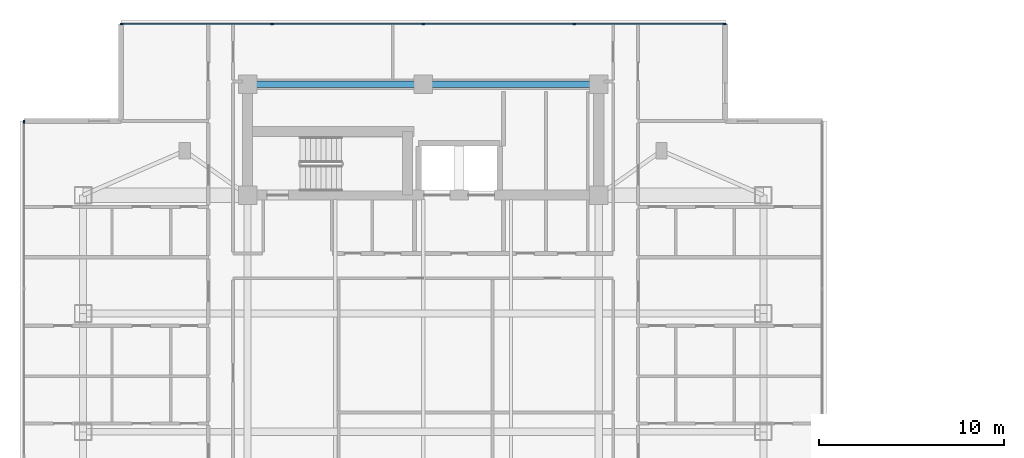
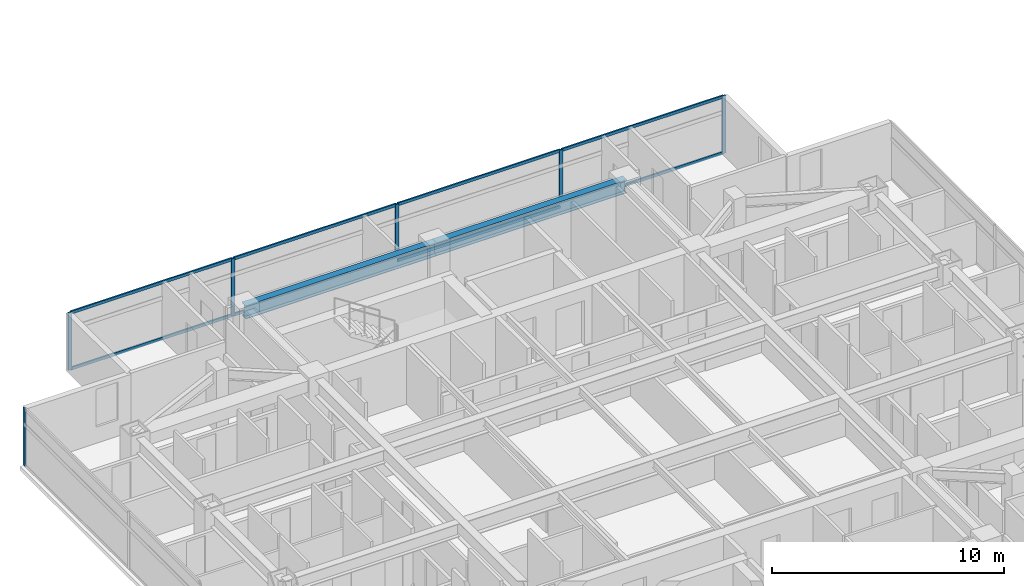
# One storey, part 6 of 25: 14 members, 2 beams, 2 elements without a shape of their own.
"""IFC4 building model written with IfcOpenShell, lengths in metres."""

from ifc_helpers import new_model, si_unit, direction, frame, origin, origin_2d, place, context, subcontext, project, spatial, rectangle, i_section, extrude, material, material_profile, profile_set, type_object, element, aggregate, save


model = new_model("IFC4")

# Units and contexts
model_context = context("Model", 3, precision=1e-05, world=origin(), true_north=direction((0.0, 1.0)))
body_context = subcontext(model_context, "Body", "Model", "MODEL_VIEW")
ifc_project = project(units=[si_unit("LENGTHUNIT", "METRE"), si_unit("AREAUNIT", "SQUARE_METRE"), si_unit("VOLUMEUNIT", "CUBIC_METRE"), si_unit("PLANEANGLEUNIT", "RADIAN"), si_unit("MASSUNIT", "GRAM", prefix="KILO")], contexts=[model_context])

# Site, building, storey
site_placement = place(None, origin())
site = spatial("IfcSite", under=ifc_project, at=site_placement, CompositionType="ELEMENT")
building_placement = place(site_placement, origin())
building = spatial("IfcBuilding", under=site, at=building_placement, Name="Mirazonda Arch Towers", CompositionType="ELEMENT")
storey_placement = place(building_placement, frame((0.0, 0.0, 177.14990234375)))
storey = spatial("IfcBuildingStorey", under=building, at=storey_placement, Name="L50", CompositionType="ELEMENT", Elevation=177.14990234375)

# Beams
ifc_material_1 = material(Name="Steel ASTM A992 Grade 50", Category="steel")
ifc_material_profile_1 = material_profile(ifc_material_1, i_section(OverallWidth=0.35498046875, OverallDepth=0.696044921875, WebThickness=0.015380859375, FlangeThickness=0.02490234375, at=origin_2d()), Name="W27X146")
ifc_profile_set_1 = profile_set([ifc_material_profile_1], Name="Steel ASTM A992 Grade 50")
beam_type = type_object("IfcBeamType", Name="BM-INT-W27X146", PredefinedType="BEAM", material=ifc_profile_set_1)
for number, where, z_axis, x_axis, name in (
    (1, (11.0, 43.60009765625, 2.7021484375), (1.0, 0.0, 0.0), (0.0, 1.0, 0.0), "L50 Floor Beam BM-T1-L50-CN1"),
    (2, (20.5, 43.60009765625, 2.7021484375), (1.0, 0.0, 0.0), (0.0, 1.0, 0.0), "L50 Floor Beam BM-T1-L50-CN2"),
):
    element("IfcBeam", number, at=place(storey_placement, frame(where, z_axis=z_axis, x_axis=x_axis)), inside=storey, type_object=beam_type, Name=name, PredefinedType="BEAM", context=body_context, shape_type="SweptSolid", body=[
        extrude(i_section(OverallWidth=0.35498046875, OverallDepth=0.696044921875, WebThickness=0.015380859375, FlangeThickness=0.02490234375, at=origin_2d()), origin(), (0.0, 0.0, 1.0), 9.5),
    ])

# Curtain wall, members
ifc_material_2 = material(Name="Anodised Aluminium and Low-E Glass", Category="aluminium")
curtain_wall_type = type_object("IfcCurtainWallType", Name="CW-RES-UNIT", PredefinedType="NOTDEFINED", material=ifc_material_2)
curtain_wall_1_placement = place(storey_placement, origin())
curtain_wall_1 = element("IfcCurtainWall", 3, at=curtain_wall_1_placement, inside=storey, type_object=curtain_wall_type, Name="L50 T1 N Facade CW-L50-T1-N", PredefinedType="NOTDEFINED")
ifc_material_3 = material(Name="Anodised Aluminium Alloy", Category="aluminium")
ifc_material_profile_2 = material_profile(ifc_material_3, rectangle(XDim=0.074951171875, YDim=0.175048828125, at=origin_2d()), Name="ALU-MULL-75x175")
ifc_profile_set_2 = profile_set([ifc_material_profile_2], Name="Anodised Aluminium Alloy")
member_type_1 = type_object("IfcMemberType", Name="MULL-CW-RES-UNIT", PredefinedType="MULLION", material=ifc_profile_set_2)
member_1_placement = place(storey_placement, frame((4.1923828125, 46.85595703125, 0.0), z_axis=(0.0, 0.0, 1.0), x_axis=(0.0, 1.0, 0.0)))
member_1 = element("IfcMember", 4, at=member_1_placement, type_object=member_type_1, Name="CW-104 mullion 1", PredefinedType="MULLION", context=body_context, shape_type="SweptSolid", body=[
    extrude(rectangle(XDim=0.074951171875, YDim=0.175048828125, at=origin_2d()), origin(), (0.0, 0.0, 1.0), 3.030029296875),
])
member_2_placement = place(storey_placement, frame((12.327392578125, 46.85595703125, 0.0), z_axis=(0.0, 0.0, 1.0), x_axis=(0.0, 1.0, 0.0)))
member_2 = element("IfcMember", 5, at=member_2_placement, type_object=member_type_1, Name="CW-104 mullion 2", PredefinedType="MULLION", context=body_context, shape_type="SweptSolid", body=[
    extrude(rectangle(XDim=0.074951171875, YDim=0.175048828125, at=origin_2d()), origin(), (0.0, 0.0, 1.0), 3.030029296875),
])
member_3_placement = place(storey_placement, frame((20.5, 46.85595703125, 0.0), z_axis=(0.0, 0.0, 1.0), x_axis=(0.0, 1.0, 0.0)))
member_3 = element("IfcMember", 6, at=member_3_placement, type_object=member_type_1, Name="CW-104 mullion 3", PredefinedType="MULLION", context=body_context, shape_type="SweptSolid", body=[
    extrude(rectangle(XDim=0.074951171875, YDim=0.175048828125, at=origin_2d()), origin(), (0.0, 0.0, 1.0), 3.030029296875),
])
member_4_placement = place(storey_placement, frame((28.672607421875, 46.85595703125, 0.0), z_axis=(0.0, 0.0, 1.0), x_axis=(0.0, 1.0, 0.0)))
member_4 = element("IfcMember", 7, at=member_4_placement, type_object=member_type_1, Name="CW-104 mullion 4", PredefinedType="MULLION", context=body_context, shape_type="SweptSolid", body=[
    extrude(rectangle(XDim=0.074951171875, YDim=0.175048828125, at=origin_2d()), origin(), (0.0, 0.0, 1.0), 3.030029296875),
])
member_5_placement = place(storey_placement, frame((36.8076171875, 46.85595703125, 0.0), z_axis=(0.0, 0.0, 1.0), x_axis=(0.0, 1.0, 0.0)))
member_5 = element("IfcMember", 8, at=member_5_placement, type_object=member_type_1, Name="CW-104 mullion 5", PredefinedType="MULLION", context=body_context, shape_type="SweptSolid", body=[
    extrude(rectangle(XDim=0.074951171875, YDim=0.175048828125, at=origin_2d()), origin(), (0.0, 0.0, 1.0), 3.030029296875),
])

# Curtain wall, member
curtain_wall_2_placement = place(storey_placement, origin())
curtain_wall_2 = element("IfcCurtainWall", 9, at=curtain_wall_2_placement, inside=storey, type_object=curtain_wall_type, Name="L50 T1 W Facade CW-L50-T1-W", PredefinedType="NOTDEFINED")
member_6_placement = place(storey_placement, frame((-1.090087890625, 41.573486328125, 0.0), z_axis=(0.0, 0.0, 1.0), x_axis=(1.0, 0.0, 0.0)))
member_6 = element("IfcMember", 10, at=member_6_placement, type_object=member_type_1, Name="CW-104 mullion 1", PredefinedType="MULLION", context=body_context, shape_type="SweptSolid", body=[
    extrude(rectangle(XDim=0.074951171875, YDim=0.175048828125, at=origin_2d()), origin(), (0.0, 0.0, 1.0), 3.030029296875),
])
aggregate(curtain_wall_2, [member_6])

# Member
ifc_material_profile_3 = material_profile(ifc_material_3, rectangle(XDim=0.074951171875, YDim=0.155029296875, at=origin_2d()), Name="ALU-TRAN-75x155")
ifc_profile_set_3 = profile_set([ifc_material_profile_3], Name="Anodised Aluminium Alloy")
member_type_2 = type_object("IfcMemberType", Name="TRAN-CW-RES-UNIT", PredefinedType="USERDEFINED", material=ifc_profile_set_3)
member_7_placement = place(storey_placement, frame((4.22998046875, 46.85595703125, 0.03759765625), z_axis=(1.0, 0.0, 0.0), x_axis=(0.0, 1.0, 0.0)))
member_7 = element("IfcMember", 11, at=member_7_placement, type_object=member_type_2, Name="CW-104 transom 1.1", ObjectType="TRANSOM", PredefinedType="USERDEFINED", context=body_context, shape_type="SweptSolid", body=[
    extrude(rectangle(XDim=0.074951171875, YDim=0.155029296875, at=origin_2d()), origin(), (0.0, 0.0, 1.0), 8.06005859375),
])

member_8_placement = place(storey_placement, frame((4.22998046875, 46.85595703125, 2.99267578125), z_axis=(1.0, 0.0, 0.0), x_axis=(0.0, 1.0, 0.0)))
member_8 = element("IfcMember", 12, at=member_8_placement, type_object=member_type_2, Name="CW-104 transom 1.2", ObjectType="TRANSOM", PredefinedType="USERDEFINED", context=body_context, shape_type="SweptSolid", body=[
    extrude(rectangle(XDim=0.074951171875, YDim=0.155029296875, at=origin_2d()), origin(), (0.0, 0.0, 1.0), 8.06005859375),
])

member_9_placement = place(storey_placement, frame((12.364990234375, 46.85595703125, 0.03759765625), z_axis=(1.0, 0.0, 0.0), x_axis=(0.0, 1.0, 0.0)))
member_9 = element("IfcMember", 13, at=member_9_placement, type_object=member_type_2, Name="CW-104 transom 2.1", ObjectType="TRANSOM", PredefinedType="USERDEFINED", context=body_context, shape_type="SweptSolid", body=[
    extrude(rectangle(XDim=0.074951171875, YDim=0.155029296875, at=origin_2d()), origin(), (0.0, 0.0, 1.0), 8.097412109375),
])

member_10_placement = place(storey_placement, frame((12.364990234375, 46.85595703125, 2.99267578125), z_axis=(1.0, 0.0, 0.0), x_axis=(0.0, 1.0, 0.0)))
member_10 = element("IfcMember", 14, at=member_10_placement, type_object=member_type_2, Name="CW-104 transom 2.2", ObjectType="TRANSOM", PredefinedType="USERDEFINED", context=body_context, shape_type="SweptSolid", body=[
    extrude(rectangle(XDim=0.074951171875, YDim=0.155029296875, at=origin_2d()), origin(), (0.0, 0.0, 1.0), 8.097412109375),
])

member_11_placement = place(storey_placement, frame((20.53759765625, 46.85595703125, 0.03759765625), z_axis=(1.0, 0.0, 0.0), x_axis=(0.0, 1.0, 0.0)))
member_11 = element("IfcMember", 15, at=member_11_placement, type_object=member_type_2, Name="CW-104 transom 3.1", ObjectType="TRANSOM", PredefinedType="USERDEFINED", context=body_context, shape_type="SweptSolid", body=[
    extrude(rectangle(XDim=0.074951171875, YDim=0.155029296875, at=origin_2d()), origin(), (0.0, 0.0, 1.0), 8.097412109375),
])

member_12_placement = place(storey_placement, frame((20.53759765625, 46.85595703125, 2.99267578125), z_axis=(1.0, 0.0, 0.0), x_axis=(0.0, 1.0, 0.0)))
member_12 = element("IfcMember", 16, at=member_12_placement, type_object=member_type_2, Name="CW-104 transom 3.2", ObjectType="TRANSOM", PredefinedType="USERDEFINED", context=body_context, shape_type="SweptSolid", body=[
    extrude(rectangle(XDim=0.074951171875, YDim=0.155029296875, at=origin_2d()), origin(), (0.0, 0.0, 1.0), 8.097412109375),
])

member_13_placement = place(storey_placement, frame((28.7099609375, 46.85595703125, 0.03759765625), z_axis=(1.0, 0.0, 0.0), x_axis=(0.0, 1.0, 0.0)))
member_13 = element("IfcMember", 17, at=member_13_placement, type_object=member_type_2, Name="CW-104 transom 4.1", ObjectType="TRANSOM", PredefinedType="USERDEFINED", context=body_context, shape_type="SweptSolid", body=[
    extrude(rectangle(XDim=0.074951171875, YDim=0.155029296875, at=origin_2d()), origin(), (0.0, 0.0, 1.0), 8.06005859375),
])

member_14_placement = place(storey_placement, frame((28.7099609375, 46.85595703125, 2.99267578125), z_axis=(1.0, 0.0, 0.0), x_axis=(0.0, 1.0, 0.0)))
member_14 = element("IfcMember", 18, at=member_14_placement, type_object=member_type_2, Name="CW-104 transom 4.2", ObjectType="TRANSOM", PredefinedType="USERDEFINED", context=body_context, shape_type="SweptSolid", body=[
    extrude(rectangle(XDim=0.074951171875, YDim=0.155029296875, at=origin_2d()), origin(), (0.0, 0.0, 1.0), 8.06005859375),
])

aggregate(curtain_wall_1, [member_1, member_2, member_3, member_4, member_5, member_7, member_8, member_9, member_10, member_11, member_12, member_13, member_14])

save(model, "model.ifc")
